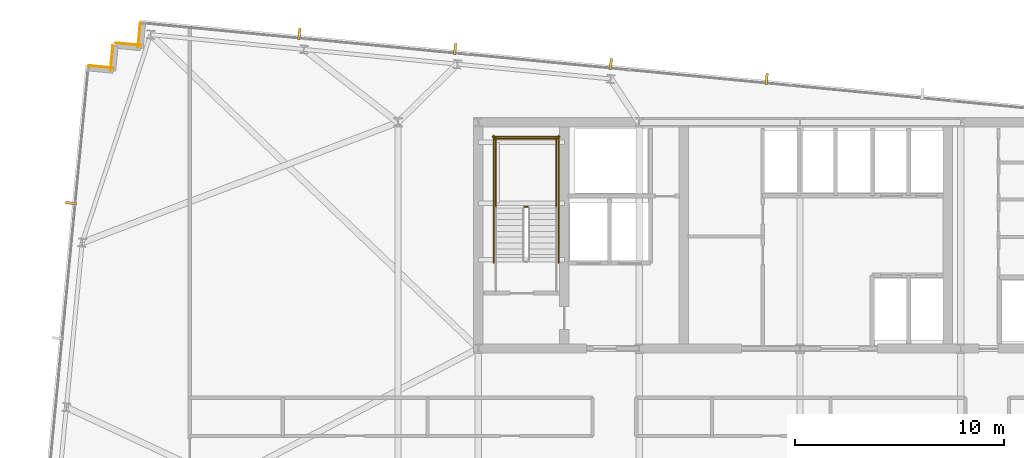
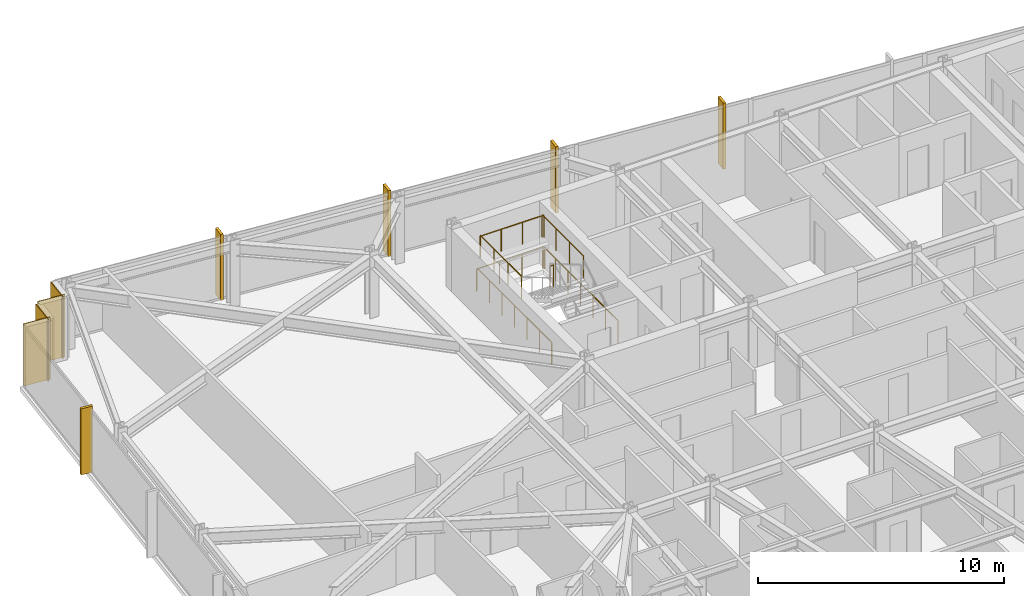
# One storey, part 36 of 37: 7 railings, 5 shading devices, 4 coverings.
"""IFC4 building model written with IfcOpenShell, lengths in metres."""

from ifc_helpers import new_model, si_unit, direction, frame, frame_2d, origin, origin_2d, place, context, subcontext, project, spatial, rectangle, circle, extrude, material, layer, layer_set, type_object, element, save


model = new_model("IFC4")

# Units and contexts
model_context = context("Model", 3, precision=1e-05, world=origin(), true_north=direction((0.0, 1.0)))
body_context = subcontext(model_context, "Body", "Model", "MODEL_VIEW")
ifc_project = project(units=[si_unit("LENGTHUNIT", "METRE"), si_unit("AREAUNIT", "SQUARE_METRE"), si_unit("VOLUMEUNIT", "CUBIC_METRE"), si_unit("PLANEANGLEUNIT", "RADIAN"), si_unit("MASSUNIT", "GRAM", prefix="KILO")], contexts=[model_context])

# Site, building, storey
site_placement = place(None, origin())
site = spatial("IfcSite", under=ifc_project, at=site_placement, CompositionType="ELEMENT")
building_placement = place(site_placement, origin())
building = spatial("IfcBuilding", under=site, at=building_placement, Name="Yelkora Congress Tower", CompositionType="ELEMENT")
storey_placement = place(building_placement, frame((0.0, 0.0, 182.0)))
storey = spatial("IfcBuildingStorey", under=building, at=storey_placement, Name="L50", CompositionType="ELEMENT", Elevation=182.0)

# Coverings
ifc_material_1 = material(Name="Anatolian bush-hammered limestone", Category="masonry")
ifc_layer_1 = layer(ifc_material_1, 0.0400390625)
ifc_layer_set_1 = layer_set([ifc_layer_1], Name="Anatolian bush-hammered limestone")
covering_type = type_object("IfcCoveringType", Name="COV-CLAD-SPANDREL-40", PredefinedType="CLADDING", material=ifc_layer_set_1)
for number, where, z_axis, x_axis, name in (
    (1, (4.423583984375, 48.9130859375, 0.0), (0.0, 0.0, 1.0), (0.995398960025, -0.095817067274, 0.0), "L50 Anatolian Limestone Cladding EW-L50-SR06"),
    (2, (5.470703125, 48.676513671875, 0.0), (0.0, 0.0, 1.0), (0.095817067274, 0.995398960025, 0.0), "L50 Anatolian Limestone Cladding EW-L50-SR07"),
):
    element("IfcCovering", number, at=place(storey_placement, frame(where, z_axis=z_axis, x_axis=x_axis)), inside=storey, type_object=covering_type, Name=name, PredefinedType="CLADDING", context=body_context, shape_type="SweptSolid", body=[
        extrude(rectangle(XDim=1.2001953125, YDim=0.0400390625, at=frame_2d((0.60009765625, 0.0))), origin(), (0.0, 0.0, 1.0), 3.080078125),
    ])
covering_1_placement = place(storey_placement, frame((5.733154296875, 49.992431640625, 0.0), z_axis=(0.0, 0.0, 1.0), x_axis=(0.995397091755, -0.095836473879, 0.0)))
element("IfcCovering", 3, at=covering_1_placement, inside=storey, type_object=covering_type, Name="L50 Anatolian Limestone Cladding EW-L50-SR08", PredefinedType="CLADDING", context=body_context, shape_type="SweptSolid", body=[
    extrude(rectangle(XDim=1.199951171875, YDim=0.0400390625, at=frame_2d((0.60009765625, 0.0))), origin(), (0.0, 0.0, 1.0), 3.080078125),
])
covering_2_placement = place(storey_placement, frame((6.780029296875, 49.756103515625, 0.0), z_axis=(0.0, 0.0, 1.0), x_axis=(0.096018626938, 0.995379537303, 0.0)))
element("IfcCovering", 4, at=covering_2_placement, inside=storey, type_object=covering_type, Name="L50 Anatolian Limestone Cladding EW-L50-SR09", PredefinedType="CLADDING", context=body_context, shape_type="SweptSolid", body=[
    extrude(rectangle(XDim=1.2001953125, YDim=0.0400390625, at=frame_2d((0.60009765625, 0.0))), origin(), (0.0, 0.0, 1.0), 3.080078125),
])

# Railings
ifc_material_2 = material(Name="Painted galvanised steel stair well guard with vertical infill", Category="steel")
ifc_layer_2 = layer(ifc_material_2, 0.06005859375)
ifc_layer_set_2 = layer_set([ifc_layer_2], Name="Painted galvanised steel stair well guard with vertical infill")
railing_type = type_object("IfcRailingType", Name="RAIL-STAIR-GUARD-1120", PredefinedType="GUARDRAIL", material=ifc_layer_set_2)
railing_1_placement = place(storey_placement, frame((25.39990234375, 42.169921875, 1.64990234375)))
element("IfcRailing", 5, at=railing_1_placement, inside=storey, type_object=railing_type, Name="ST-01 L50 Stair Well Guardrail 2", PredefinedType="GUARDRAIL", context=body_context, shape_type="SweptSolid", body=[
    extrude(circle(Radius=0.02392578125, at=origin_2d()), frame((0.0, 0.0, 1.09619140625), z_axis=(-1.0, 0.0, 0.0), x_axis=(0.0, -1.0, 0.0)), (0.0, 0.0, 1.0), 0.159912109375),
    extrude(circle(Radius=0.02099609375, at=origin_2d()), origin(), (0.0, 0.0, 1.0), 1.072021484375),
    extrude(circle(Radius=0.02099609375, at=origin_2d()), frame((-0.159912109375, 0.0, 0.0)), (0.0, 0.0, 1.0), 1.072021484375),
])
for number, where, name in (
    (6, (26.77001953125, 42.1201171875, 1.64990234375), "ST-01 L50 Stair Well Guardrail 3"),
    (7, (23.8701171875, 42.1201171875, 1.64990234375), "ST-01 L50 Stair Well Guardrail 4"),
):
    element("IfcRailing", number, at=place(storey_placement, frame(where)), inside=storey, type_object=railing_type, Name=name, PredefinedType="GUARDRAIL", context=body_context, shape_type="SweptSolid", body=[
        extrude(circle(Radius=0.02392578125, at=origin_2d()), frame((0.0, 0.0, 1.09619140625), z_axis=(0.0, 1.0, 0.0), x_axis=(-1.0, 0.0, 0.0)), (0.0, 0.0, 1.0), 3.349853515625),
        extrude(circle(Radius=0.02099609375, at=origin_2d()), origin(), (0.0, 0.0, 1.0), 1.072021484375),
        extrude(circle(Radius=0.02099609375, at=origin_2d()), frame((0.0, 1.11669921875, 0.0)), (0.0, 0.0, 1.0), 1.072021484375),
        extrude(circle(Radius=0.02099609375, at=origin_2d()), frame((0.0, 2.233154296875, 0.0)), (0.0, 0.0, 1.0), 1.072021484375),
        extrude(circle(Radius=0.02099609375, at=origin_2d()), frame((0.0, 3.349853515625, 0.0)), (0.0, 0.0, 1.0), 1.072021484375),
    ])
railing_2_placement = place(storey_placement, frame((26.820068359375, 45.419921875, 1.64990234375)))
element("IfcRailing", 8, at=railing_2_placement, inside=storey, type_object=railing_type, Name="ST-01 L50 Stair Well Guardrail 5", PredefinedType="GUARDRAIL", context=body_context, shape_type="SweptSolid", body=[
    extrude(circle(Radius=0.02392578125, at=origin_2d()), frame((0.0, 0.0, 1.09619140625), z_axis=(-1.0, 0.0, 0.0), x_axis=(0.0, -1.0, 0.0)), (0.0, 0.0, 1.0), 3.0),
    extrude(circle(Radius=0.02099609375, at=origin_2d()), origin(), (0.0, 0.0, 1.0), 1.072021484375),
    extrude(circle(Radius=0.02099609375, at=origin_2d()), frame((-1.0, 0.0, 0.0)), (0.0, 0.0, 1.0), 1.072021484375),
    extrude(circle(Radius=0.02099609375, at=origin_2d()), frame((-2.0, 0.0, 0.0)), (0.0, 0.0, 1.0), 1.072021484375),
    extrude(circle(Radius=0.02099609375, at=origin_2d()), frame((-3.0, 0.0, 0.0)), (0.0, 0.0, 1.0), 1.072021484375),
])
for number, where, name in (
    (9, (26.8701171875, 39.5, 0.0), "ST-01 L50 Stair Well Guardrail 10"),
    (10, (23.77001953125, 39.5, 0.0), "ST-01 L50 Stair Well Guardrail 11"),
):
    element("IfcRailing", number, at=place(storey_placement, frame(where)), inside=storey, type_object=railing_type, Name=name, PredefinedType="GUARDRAIL", context=body_context, shape_type="SweptSolid", body=[
        extrude(circle(Radius=0.02392578125, at=origin_2d()), frame((0.0, 0.0, 1.09619140625), z_axis=(0.0, 1.0, 0.0), x_axis=(-1.0, 0.0, 0.0)), (0.0, 0.0, 1.0), 6.070068359375),
        extrude(circle(Radius=0.02099609375, at=origin_2d()), origin(), (0.0, 0.0, 1.0), 1.072021484375),
        extrude(circle(Radius=0.02099609375, at=origin_2d()), frame((0.0, 1.01171875, 0.0)), (0.0, 0.0, 1.0), 1.072021484375),
        extrude(circle(Radius=0.02099609375, at=origin_2d()), frame((0.0, 2.0234375, 0.0)), (0.0, 0.0, 1.0), 1.072021484375),
        extrude(circle(Radius=0.02099609375, at=origin_2d()), frame((0.0, 3.03515625, 0.0)), (0.0, 0.0, 1.0), 1.072021484375),
        extrude(circle(Radius=0.02099609375, at=origin_2d()), frame((0.0, 4.046630859375, 0.0)), (0.0, 0.0, 1.0), 1.072021484375),
        extrude(circle(Radius=0.02099609375, at=origin_2d()), frame((0.0, 5.058349609375, 0.0)), (0.0, 0.0, 1.0), 1.072021484375),
        extrude(circle(Radius=0.02099609375, at=origin_2d()), frame((0.0, 6.070068359375, 0.0)), (0.0, 0.0, 1.0), 1.072021484375),
    ])
railing_3_placement = place(storey_placement, frame((26.919921875, 45.52001953125, 0.0)))
element("IfcRailing", 11, at=railing_3_placement, inside=storey, type_object=railing_type, Name="ST-01 L50 Stair Well Guardrail 12", PredefinedType="GUARDRAIL", context=body_context, shape_type="SweptSolid", body=[
    extrude(circle(Radius=0.02392578125, at=origin_2d()), frame((0.0, 0.0, 1.09619140625), z_axis=(-1.0, 0.0, 0.0), x_axis=(0.0, -1.0, 0.0)), (0.0, 0.0, 1.0), 3.199951171875),
    extrude(circle(Radius=0.02099609375, at=origin_2d()), origin(), (0.0, 0.0, 1.0), 1.072021484375),
    extrude(circle(Radius=0.02099609375, at=origin_2d()), frame((-1.066650390625, 0.0, 0.0)), (0.0, 0.0, 1.0), 1.072021484375),
    extrude(circle(Radius=0.02099609375, at=origin_2d()), frame((-2.13330078125, 0.0, 0.0)), (0.0, 0.0, 1.0), 1.072021484375),
    extrude(circle(Radius=0.02099609375, at=origin_2d()), frame((-3.199951171875, 0.0, 0.0)), (0.0, 0.0, 1.0), 1.072021484375),
])

# Shading devices
ifc_material_3 = material(Name="Champagne anodised aluminium", Category="aluminium")
ifc_layer_3 = layer(ifc_material_3, 3.300048828125)
ifc_layer_set_3 = layer_set([ifc_layer_3], Name="Champagne anodised aluminium")
shading_device_type = type_object("IfcShadingDeviceType", Name="SHD-FIN-ALU-520", PredefinedType="USERDEFINED", material=ifc_layer_set_3)
for number, where, z_axis, x_axis, name in (
    (12, (3.590087890625, 42.34375, -0.02978515625), (0.0, 0.0, 1.0), (0.09584575252, 0.995396198367, 0.0), "L50 Vertical Anodised Solar Fin 5-4"),
    (13, (14.48876953125, 50.42041015625, -0.02978515625), (0.0, 0.0, 1.0), (0.995396198367, -0.09584575252, 0.0), "L50 Vertical Anodised Solar Fin 10-1"),
    (14, (21.928466796875, 49.703857421875, -0.02978515625), (0.0, 0.0, 1.0), (0.995396198367, -0.09584575252, 0.0), "L50 Vertical Anodised Solar Fin 10-2"),
    (15, (29.368408203125, 48.987548828125, -0.02978515625), (0.0, 0.0, 1.0), (0.995396198367, -0.09584575252, 0.0), "L50 Vertical Anodised Solar Fin 10-3"),
    (16, (36.808349609375, 48.271240234375, -0.02978515625), (0.0, 0.0, 1.0), (0.995396198367, -0.09584575252, 0.0), "L50 Vertical Anodised Solar Fin 10-4"),
):
    element("IfcShadingDevice", number, at=place(storey_placement, frame(where, z_axis=z_axis, x_axis=x_axis)), inside=storey, type_object=shading_device_type, Name=name, ObjectType="FIN", PredefinedType="USERDEFINED", context=body_context, shape_type="SweptSolid", body=[
        extrude(rectangle(XDim=0.1201171875, YDim=0.52001953125, at=origin_2d()), origin(), (0.0, 0.0, 1.0), 3.280029296875),
    ])

save(model, "model.ifc")
